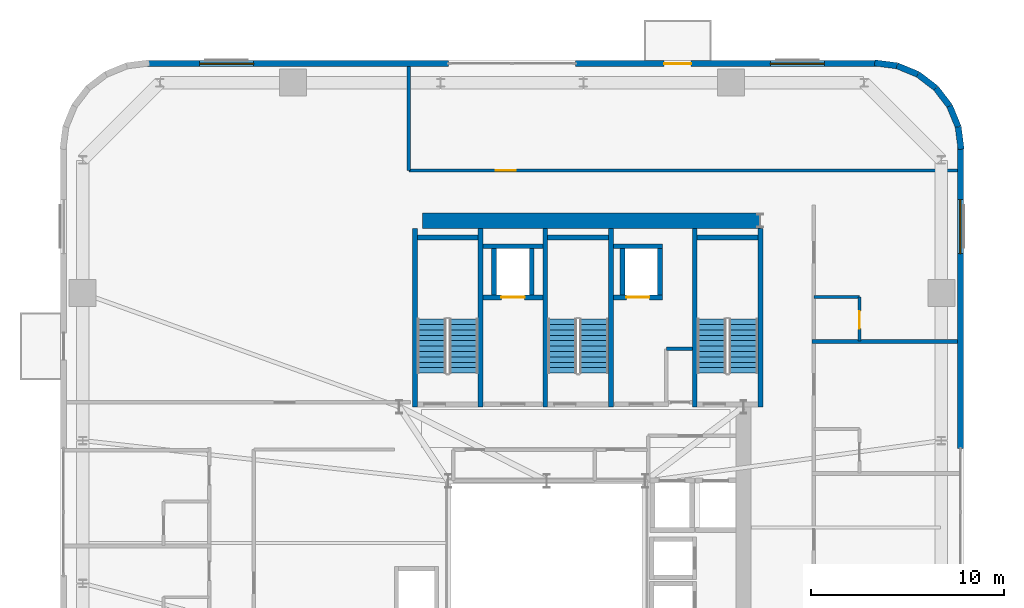
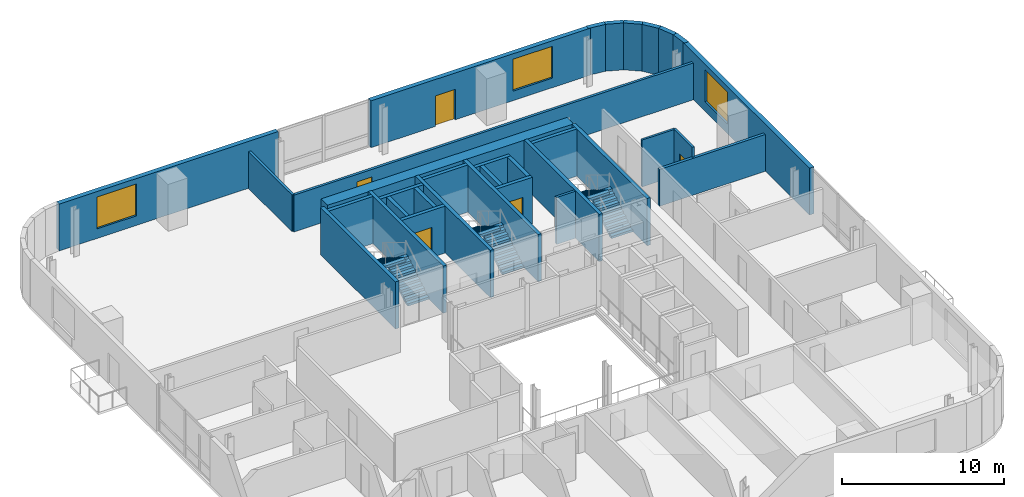
# One storey, part 11 of 16: 33 walls, 6 stair flights, 5 doors, 3 windows, 8 openings, 3 elements without a shape of their own.
"""IFC4 building model written with IfcOpenShell, lengths in metres."""

from ifc_helpers import new_model, si_unit, direction, frame, frame_2d, origin, place, context, subcontext, project, spatial, polyline, rectangle, outline, extrude, source, transform, mapped, material, layer, layer_set, type_object, element, fill, aggregate, save


model = new_model("IFC4")

# Units and contexts
model_context = context("Model", 3, precision=1e-05, world=origin(), true_north=direction((0.0, 1.0)))
body_context = subcontext(model_context, "Body", "Model", "MODEL_VIEW")
ifc_project = project(units=[si_unit("LENGTHUNIT", "METRE"), si_unit("AREAUNIT", "SQUARE_METRE"), si_unit("VOLUMEUNIT", "CUBIC_METRE"), si_unit("PLANEANGLEUNIT", "RADIAN"), si_unit("MASSUNIT", "GRAM", prefix="KILO")], contexts=[model_context])

# Site, building, storey
site_placement = place(None, origin())
site = spatial("IfcSite", under=ifc_project, at=site_placement, CompositionType="ELEMENT")
building_placement = place(site_placement, origin())
building = spatial("IfcBuilding", under=site, at=building_placement, Name="Vardaveli Station Tower", CompositionType="ELEMENT")
storey_placement = place(building_placement, frame((0.0, 0.0, 211.050048828125)))
storey = spatial("IfcBuildingStorey", under=building, at=storey_placement, Name="L54", CompositionType="ELEMENT", Elevation=211.050048828125)

# Wall
ifc_material_1 = material(Name="Concrete C50/60", Category="concrete")
ifc_layer_1 = layer(ifc_material_1, 0.800048828125, Name="Concrete C50/60")
ifc_layer_set_1 = layer_set([ifc_layer_1], Name="Concrete C50/60")
wall_type_1 = type_object("IfcWallType", Name="WAL-CORE-800", PredefinedType="SHEAR", material=ifc_layer_set_1)
shared_shape_1 = source(origin(), body_context, "Body", "SweptSolid", [
    extrude(rectangle(XDim=17.52001953125, YDim=0.800048828125, at=frame_2d((8.760009765625, 0.0))), origin(), (0.0, 0.0, 1.0), 3.530029296875),
])
wall_1_placement = place(storey_placement, frame((29.85009765625, 40.300048828125, 0.0), z_axis=(0.0, 0.0, 1.0), x_axis=(1.0, 0.0, 0.0)))
element("IfcWall", 1, at=wall_1_placement, inside=storey, type_object=wall_type_1, Name="SW-L54-NORTH", PredefinedType="SHEAR", context=body_context, shape_type="MappedRepresentation", body=[
    mapped(shared_shape_1, transform((0.0, 0.0, 0.0), scale=1.0)),
])

# Wall, openings, door, window
ifc_material_2 = material(Name="Precast concrete C45/55", Category="concrete")
ifc_layer_2 = layer(ifc_material_2, 0.320068359375, Name="Precast concrete C45/55")
ifc_layer_set_2 = layer_set([ifc_layer_2], Name="Precast concrete C45/55")
wall_type_2 = type_object("IfcWallType", Name="WAL-EXT-STONE-320", PredefinedType="SOLIDWALL", material=ifc_layer_set_2)
shared_shape_2 = source(origin(), body_context, "Body", "SweptSolid", [
    extrude(rectangle(XDim=15.599853515625, YDim=0.320068359375, at=frame_2d((7.7998046875, 0.0))), origin(), (0.0, 0.0, 1.0), 3.530029296875),
])
wall_2_placement = place(storey_placement, frame((53.39990234375, 48.43994140625, 0.0), z_axis=(0.0, 0.0, 1.0), x_axis=(-1.0, 0.0, 0.0)))
wall_2 = element("IfcWall", 2, at=wall_2_placement, inside=storey, type_object=wall_type_2, Name="EW-L54-N1", PredefinedType="SOLIDWALL", context=body_context, shape_type="MappedRepresentation", body=[
    mapped(shared_shape_2, transform((0.0, 0.0, 0.0), scale=1.0)),
])
shared_shape_3 = source(origin(), body_context, "Body", "SweptSolid", [
    extrude(rectangle(XDim=1.39990234375, YDim=2.300048828125, at=frame_2d((0.699951171875, 1.14990234375))), frame((0.0, 0.169921875, 0.0), z_axis=(0.0, -1.0, 0.0), x_axis=(1.0, 0.0, 0.0)), (0.0, 0.0, 1.0), 0.340087890625),
])
opening_1_placement = place(wall_2_placement, frame((9.6103515625, 0.0, 0.0)))
opening_1 = element("IfcOpeningElement", 3, at=opening_1_placement, cuts=wall_2, Name="Opening D-09", PredefinedType="OPENING", context=body_context, shape_type="MappedRepresentation", body=[
    mapped(shared_shape_3, transform((0.0, 0.0, 0.0), scale=1.0)),
])
shared_shape_4 = source(origin(), body_context, "Body", "SweptSolid", [
    extrude(rectangle(XDim=2.800048828125, YDim=2.39990234375, at=frame_2d((1.39990234375, 1.199951171875))), frame((0.0, 0.169921875, 0.0), z_axis=(0.0, -1.0, 0.0), x_axis=(1.0, 0.0, 0.0)), (0.0, 0.0, 1.0), 0.340087890625),
])
opening_2_placement = place(wall_2_placement, frame((2.705078125, 0.0, 0.719970703125)))
opening_2 = element("IfcOpeningElement", 4, at=opening_2_placement, cuts=wall_2, Name="Opening W-04", PredefinedType="OPENING", context=body_context, shape_type="MappedRepresentation", body=[
    mapped(shared_shape_4, transform((0.0, 0.0, 0.0), scale=1.0)),
])
ifc_material_3 = material(Name="Thermally broken aluminium glass", Category="aluminium")
door_type_1 = type_object("IfcDoorType", Name="DR-LOG-1400x2300", OperationType="DOUBLE_DOOR_SLIDING", PredefinedType="DOOR", material=ifc_material_3)
shared_shape_5 = source(origin(), body_context, "Body", "SweptSolid", [
    extrude(rectangle(XDim=1.39990234375, YDim=2.300048828125, at=frame_2d((0.699951171875, 1.14990234375))), frame((0.0, 0.02490234375, 0.0), z_axis=(0.0, -1.0, 0.0), x_axis=(1.0, 0.0, 0.0)), (0.0, 0.0, 1.0), 0.050048828125),
])
door_1_placement = place(opening_1_placement, frame((1.39990234375, 0.0, 0.0), z_axis=(0.0, 0.0, 1.0), x_axis=(-1.0, 0.0, 0.0)))
door_1 = element("IfcDoor", 5, at=door_1_placement, inside=storey, type_object=door_type_1, Name="DLG-L54-N", OperationType="DOUBLE_DOOR_SLIDING", OverallHeight=2.300048828125, OverallWidth=1.39990234375, PredefinedType="DOOR", context=body_context, shape_type="MappedRepresentation", body=[
    mapped(shared_shape_5, transform((0.0, 0.0, 0.0), scale=1.0)),
])
fill(opening_1, door_1)
ifc_material_4 = material(Name="Low-E solar-control glass", Category="glass")
window_type = type_object("IfcWindowType", Name="WIN-SUITE-2800x2400", PartitioningType="SINGLE_PANEL", PredefinedType="WINDOW", material=ifc_material_4)
shared_shape_6 = source(origin(), body_context, "Body", "SweptSolid", [
    extrude(rectangle(XDim=2.800048828125, YDim=2.39990234375, at=frame_2d((1.39990234375, 1.199951171875))), frame((0.0, 0.030029296875, 0.0), z_axis=(0.0, -1.0, 0.0), x_axis=(1.0, 0.0, 0.0)), (0.0, 0.0, 1.0), 0.06005859375),
])
window_1_placement = place(opening_2_placement, origin())
window_1 = element("IfcWindow", 6, at=window_1_placement, inside=storey, type_object=window_type, Name="WN-L54-N1", OverallHeight=2.39990234375, OverallWidth=2.800048828125, PartitioningType="SINGLE_PANEL", PredefinedType="WINDOW", context=body_context, shape_type="MappedRepresentation", body=[
    mapped(shared_shape_6, transform((0.0, 0.0, 0.0), scale=1.0)),
])
fill(opening_2, window_1)

# Wall, opening, window
wall_3_placement = place(storey_placement, frame((31.199951171875, 48.43994140625, 0.0), z_axis=(0.0, 0.0, 1.0), x_axis=(-1.0, 0.0, 0.0)))
wall_3 = element("IfcWall", 7, at=wall_3_placement, inside=storey, type_object=wall_type_2, Name="EW-L54-N2", PredefinedType="SOLIDWALL", context=body_context, shape_type="MappedRepresentation", body=[
    mapped(shared_shape_2, transform((0.0, 0.0, 0.0), scale=1.0)),
])
opening_3_placement = place(wall_3_placement, frame((10.094970703125, 0.0, 0.719970703125)))
opening_3 = element("IfcOpeningElement", 8, at=opening_3_placement, cuts=wall_3, Name="Opening W-04", PredefinedType="OPENING", context=body_context, shape_type="MappedRepresentation", body=[
    mapped(shared_shape_4, transform((0.0, 0.0, 0.0), scale=1.0)),
])
window_2_placement = place(opening_3_placement, origin())
window_2 = element("IfcWindow", 9, at=window_2_placement, inside=storey, type_object=window_type, Name="WN-L54-N2", OverallHeight=2.39990234375, OverallWidth=2.800048828125, PartitioningType="SINGLE_PANEL", PredefinedType="WINDOW", context=body_context, shape_type="MappedRepresentation", body=[
    mapped(shared_shape_6, transform((0.0, 0.0, 0.0), scale=1.0)),
])
fill(opening_3, window_2)

shared_shape_7 = source(origin(), body_context, "Body", "SweptSolid", [
    extrude(rectangle(XDim=15.60009765625, YDim=0.320068359375, at=frame_2d((7.800048828125, 0.0))), origin(), (0.0, 0.0, 1.0), 3.530029296875),
])
wall_4_placement = place(storey_placement, frame((57.739990234375, 28.5, 0.0), z_axis=(0.0, 0.0, 1.0), x_axis=(0.0, 1.0, 0.0)))
wall_4 = element("IfcWall", 10, at=wall_4_placement, inside=storey, type_object=wall_type_2, Name="EW-L54-E2", PredefinedType="SOLIDWALL", context=body_context, shape_type="MappedRepresentation", body=[
    mapped(shared_shape_7, transform((0.0, 0.0, 0.0), scale=1.0)),
])
opening_4_placement = place(wall_4_placement, frame((10.094970703125, 0.0, 0.719970703125)))
opening_4 = element("IfcOpeningElement", 11, at=opening_4_placement, cuts=wall_4, Name="Opening W-04", PredefinedType="OPENING", context=body_context, shape_type="MappedRepresentation", body=[
    mapped(shared_shape_4, transform((0.0, 0.0, 0.0), scale=1.0)),
])
window_3_placement = place(opening_4_placement, origin())
window_3 = element("IfcWindow", 12, at=window_3_placement, inside=storey, type_object=window_type, Name="WN-L54-E2", OverallHeight=2.39990234375, OverallWidth=2.800048828125, PartitioningType="SINGLE_PANEL", PredefinedType="WINDOW", context=body_context, shape_type="MappedRepresentation", body=[
    mapped(shared_shape_6, transform((0.0, 0.0, 0.0), scale=1.0)),
])
fill(opening_4, window_3)

# Walls
shared_shape_8 = source(origin(), body_context, "Body", "SweptSolid", [
    extrude(rectangle(XDim=1.1689453125, YDim=0.320068359375, at=frame_2d((0.58447265625, 0.0))), origin(), (0.0, 0.0, 1.0), 3.530029296875),
])
wall_5_placement = place(storey_placement, frame((57.179931640625, 46.2412109375, 0.0), z_axis=(0.0, 0.0, 1.0), x_axis=(-0.608387696831, 0.793639975269, 0.0)))
element("IfcWall", 13, at=wall_5_placement, inside=storey, type_object=wall_type_2, Name="EW-L54-CR3-3", PredefinedType="SOLIDWALL", context=body_context, shape_type="MappedRepresentation", body=[
    mapped(shared_shape_8, transform((0.0, 0.0, 0.0), scale=1.0)),
])
shared_shape_9 = source(origin(), body_context, "Body", "SweptSolid", [
    extrude(rectangle(XDim=1.168701171875, YDim=0.320068359375, at=frame_2d((0.58447265625, 0.0))), origin(), (0.0, 0.0, 1.0), 3.530029296875),
])
wall_6_placement = place(storey_placement, frame((56.46875, 47.1689453125, 0.0), z_axis=(0.0, 0.0, 1.0), x_axis=(-0.793663520347, 0.608356981114, 0.0)))
element("IfcWall", 14, at=wall_6_placement, inside=storey, type_object=wall_type_2, Name="EW-L54-CR3-4", PredefinedType="SOLIDWALL", context=body_context, shape_type="MappedRepresentation", body=[
    mapped(shared_shape_9, transform((0.0, 0.0, 0.0), scale=1.0)),
])
shared_shape_10 = source(origin(), body_context, "Body", "SweptSolid", [
    extrude(rectangle(XDim=1.17041015625, YDim=0.320068359375, at=frame_2d((0.585205078125, 0.0))), origin(), (0.0, 0.0, 1.0), 3.530029296875),
])
for number, where, z_axis, x_axis, name in (
    (15, (57.775634765625, 43.99951171875, 0.0), (0.0, 0.0, 1.0), (-0.128295670475, 0.991735963317, 0.0), "EW-L54-CR3-1"),
    (16, (54.460205078125, 48.325439453125, 0.0), (0.0, 0.0, 1.0), (-0.991735963317, 0.128295670475, 0.0), "EW-L54-CR3-6"),
):
    element("IfcWall", number, at=place(storey_placement, frame(where, z_axis=z_axis, x_axis=x_axis)), inside=storey, type_object=wall_type_2, Name=name, PredefinedType="SOLIDWALL", context=body_context, shape_type="MappedRepresentation", body=[
        mapped(shared_shape_10, transform((0.0, 0.0, 0.0), scale=1.0)),
    ])
shared_shape_11 = source(origin(), body_context, "Body", "SweptSolid", [
    extrude(rectangle(XDim=1.169189453125, YDim=0.320068359375, at=frame_2d((0.58447265625, 0.0))), origin(), (0.0, 0.0, 1.0), 3.530029296875),
])
for number, where, z_axis, x_axis, name in (
    (17, (57.62548828125, 45.16015625, 0.0), (0.0, 0.0, 1.0), (-0.381054331552, 0.924552646638, 0.0), "EW-L54-CR3-2"),
    (18, (55.541259765625, 47.8798828125, 0.0), (0.0, 0.0, 1.0), (-0.924552646638, 0.381054331552, 0.0), "EW-L54-CR3-5"),
):
    element("IfcWall", number, at=place(storey_placement, frame(where, z_axis=z_axis, x_axis=x_axis)), inside=storey, type_object=wall_type_2, Name=name, PredefinedType="SOLIDWALL", context=body_context, shape_type="MappedRepresentation", body=[
        mapped(shared_shape_11, transform((0.0, 0.0, 0.0), scale=1.0)),
    ])
ifc_material_5 = material(Name="Concrete C40/50", Category="concrete")
ifc_layer_3 = layer(ifc_material_5, 0.25, Name="Concrete C40/50")
ifc_layer_set_3 = layer_set([ifc_layer_3], Name="Concrete C40/50")
wall_type_3 = type_object("IfcWallType", Name="WAL-SHAFT-250", PredefinedType="SOLIDWALL", material=ifc_layer_set_3)
shared_shape_12 = source(origin(), body_context, "Body", "SweptSolid", [
    extrude(rectangle(XDim=9.25, YDim=0.25, at=frame_2d((4.625, 0.0))), origin(), (0.0, 0.0, 1.0), 3.550048828125),
])
for number, where, z_axis, x_axis, name in (
    (19, (29.47509765625, 30.64990234375, 0.0), (0.0, 0.0, 1.0), (0.0, 1.0, 0.0), "W-L54-ST-1W"),
    (20, (32.875, 30.64990234375, 0.0), (0.0, 0.0, 1.0), (0.0, 1.0, 0.0), "W-L54-ST-1E"),
    (21, (36.22509765625, 30.64990234375, 0.0), (0.0, 0.0, 1.0), (0.0, 1.0, 0.0), "W-L54-ST-2W"),
    (22, (39.625, 30.64990234375, 0.0), (0.0, 0.0, 1.0), (0.0, 1.0, 0.0), "W-L54-ST-2E"),
    (23, (43.97509765625, 30.64990234375, 0.0), (0.0, 0.0, 1.0), (0.0, 1.0, 0.0), "W-L54-ST-3W"),
    (24, (47.375, 30.64990234375, 0.0), (0.0, 0.0, 1.0), (0.0, 1.0, 0.0), "W-L54-ST-3E"),
):
    element("IfcWall", number, at=place(storey_placement, frame(where, z_axis=z_axis, x_axis=x_axis)), inside=storey, type_object=wall_type_3, Name=name, PredefinedType="SOLIDWALL", context=body_context, shape_type="MappedRepresentation", body=[
        mapped(shared_shape_12, transform((0.0, 0.0, 0.0), scale=1.0)),
    ])
shared_shape_13 = source(origin(), body_context, "Body", "SweptSolid", [
    extrude(rectangle(XDim=3.14990234375, YDim=0.25, at=frame_2d((1.574951171875, 0.0))), origin(), (0.0, 0.0, 1.0), 3.550048828125),
])
for number, where, z_axis, x_axis, name in (
    (25, (29.60009765625, 39.425048828125, 0.0), (0.0, 0.0, 1.0), (1.0, 0.0, 0.0), "W-L54-ST-1N"),
    (26, (36.35009765625, 39.425048828125, 0.0), (0.0, 0.0, 1.0), (1.0, 0.0, 0.0), "W-L54-ST-2N"),
    (27, (44.10009765625, 39.425048828125, 0.0), (0.0, 0.0, 1.0), (1.0, 0.0, 0.0), "W-L54-ST-3N"),
):
    element("IfcWall", number, at=place(storey_placement, frame(where, z_axis=z_axis, x_axis=x_axis)), inside=storey, type_object=wall_type_3, Name=name, PredefinedType="SOLIDWALL", context=body_context, shape_type="MappedRepresentation", body=[
        mapped(shared_shape_13, transform((0.0, 0.0, 0.0), scale=1.0)),
    ])

# Wall, opening, door
shared_shape_14 = source(origin(), body_context, "Body", "SweptSolid", [
    extrude(rectangle(XDim=3.10009765625, YDim=0.25, at=frame_2d((1.550048828125, 0.0))), origin(), (0.0, 0.0, 1.0), 3.530029296875),
])
wall_7_placement = place(storey_placement, frame((33.0, 36.324951171875, 0.0), z_axis=(0.0, 0.0, 1.0), x_axis=(1.0, 0.0, 0.0)))
wall_7 = element("IfcWall", 28, at=wall_7_placement, inside=storey, type_object=wall_type_3, Name="SHW-FFL-01-L54-S", PredefinedType="SOLIDWALL", context=body_context, shape_type="MappedRepresentation", body=[
    mapped(shared_shape_14, transform((0.0, 0.0, 0.0), scale=1.0)),
])
shared_shape_15 = source(origin(), body_context, "Body", "SweptSolid", [
    extrude(rectangle(XDim=1.199951171875, YDim=2.25, at=frame_2d((0.60009765625, 1.125))), frame((0.0, 0.135009765625, 0.0), z_axis=(0.0, -1.0, 0.0), x_axis=(1.0, 0.0, 0.0)), (0.0, 0.0, 1.0), 0.27001953125),
])
opening_5_placement = place(wall_7_placement, frame((0.949951171875, 0.0, 0.0)))
opening_5 = element("IfcOpeningElement", 29, at=opening_5_placement, cuts=wall_7, Name="Opening LD-02", PredefinedType="OPENING", context=body_context, shape_type="MappedRepresentation", body=[
    mapped(shared_shape_15, transform((0.0, 0.0, 0.0), scale=1.0)),
])
ifc_material_6 = material(Name="Brushed stainless steel", Category="steel")
door_type_2 = type_object("IfcDoorType", Name="DR-LD-1200x2250", OperationType="DOUBLE_DOOR_SLIDING", PredefinedType="DOOR", material=ifc_material_6)
shared_shape_16 = source(origin(), body_context, "Body", "SweptSolid", [
    extrude(rectangle(XDim=1.199951171875, YDim=2.25, at=frame_2d((0.60009765625, 1.125))), frame((0.0, 0.02490234375, 0.0), z_axis=(0.0, -1.0, 0.0), x_axis=(1.0, 0.0, 0.0)), (0.0, 0.0, 1.0), 0.050048828125),
])
door_2_placement = place(opening_5_placement, origin())
door_2 = element("IfcDoor", 30, at=door_2_placement, inside=storey, type_object=door_type_2, Name="LD-FFL-01-L54", OperationType="DOUBLE_DOOR_SLIDING", OverallHeight=2.25, OverallWidth=1.199951171875, PredefinedType="DOOR", context=body_context, shape_type="MappedRepresentation", body=[
    mapped(shared_shape_16, transform((0.0, 0.0, 0.0), scale=1.0)),
])
fill(opening_5, door_2)

# Walls
wall_8_placement = place(storey_placement, frame((33.0, 38.97509765625, 0.0), z_axis=(0.0, 0.0, 1.0), x_axis=(1.0, 0.0, 0.0)))
element("IfcWall", 31, at=wall_8_placement, inside=storey, type_object=wall_type_3, Name="SHW-FFL-01-L54-N", PredefinedType="SOLIDWALL", context=body_context, shape_type="MappedRepresentation", body=[
    mapped(shared_shape_14, transform((0.0, 0.0, 0.0), scale=1.0)),
])
shared_shape_17 = source(origin(), body_context, "Body", "SweptSolid", [
    extrude(rectangle(XDim=2.400146484375, YDim=0.25, at=frame_2d((1.2001953125, 0.0))), origin(), (0.0, 0.0, 1.0), 3.530029296875),
])
for number, where, z_axis, x_axis, name in (
    (32, (33.574951171875, 36.449951171875, 0.0), (0.0, 0.0, 1.0), (0.0, 1.0, 0.0), "SHW-FFL-01-L54-W"),
    (33, (35.52490234375, 36.449951171875, 0.0), (0.0, 0.0, 1.0), (0.0, 1.0, 0.0), "SHW-FFL-01-L54-E"),
    (34, (40.22509765625, 36.449951171875, 0.0), (0.0, 0.0, 1.0), (0.0, 1.0, 0.0), "SHW-FFL-02-L54-W"),
    (35, (42.175048828125, 36.449951171875, 0.0), (0.0, 0.0, 1.0), (0.0, 1.0, 0.0), "SHW-FFL-02-L54-E"),
):
    element("IfcWall", number, at=place(storey_placement, frame(where, z_axis=z_axis, x_axis=x_axis)), inside=storey, type_object=wall_type_3, Name=name, PredefinedType="SOLIDWALL", context=body_context, shape_type="MappedRepresentation", body=[
        mapped(shared_shape_17, transform((0.0, 0.0, 0.0), scale=1.0)),
    ])

# Wall, opening, door
shared_shape_18 = source(origin(), body_context, "Body", "SweptSolid", [
    extrude(rectangle(XDim=2.550048828125, YDim=0.25, at=frame_2d((1.27490234375, 0.0))), origin(), (0.0, 0.0, 1.0), 3.530029296875),
])
wall_9_placement = place(storey_placement, frame((39.75, 36.324951171875, 0.0), z_axis=(0.0, 0.0, 1.0), x_axis=(1.0, 0.0, 0.0)))
wall_9 = element("IfcWall", 36, at=wall_9_placement, inside=storey, type_object=wall_type_3, Name="SHW-FFL-02-L54-S", PredefinedType="SOLIDWALL", context=body_context, shape_type="MappedRepresentation", body=[
    mapped(shared_shape_18, transform((0.0, 0.0, 0.0), scale=1.0)),
])
opening_6_placement = place(wall_9_placement, frame((0.675048828125, 0.0, 0.0)))
opening_6 = element("IfcOpeningElement", 37, at=opening_6_placement, cuts=wall_9, Name="Opening LD-02", PredefinedType="OPENING", context=body_context, shape_type="MappedRepresentation", body=[
    mapped(shared_shape_15, transform((0.0, 0.0, 0.0), scale=1.0)),
])
door_3_placement = place(opening_6_placement, origin())
door_3 = element("IfcDoor", 38, at=door_3_placement, inside=storey, type_object=door_type_2, Name="LD-FFL-02-L54", OperationType="DOUBLE_DOOR_SLIDING", OverallHeight=2.25, OverallWidth=1.199951171875, PredefinedType="DOOR", context=body_context, shape_type="MappedRepresentation", body=[
    mapped(shared_shape_16, transform((0.0, 0.0, 0.0), scale=1.0)),
])
fill(opening_6, door_3)

# Wall
wall_10_placement = place(storey_placement, frame((39.75, 38.97509765625, 0.0), z_axis=(0.0, 0.0, 1.0), x_axis=(1.0, 0.0, 0.0)))
element("IfcWall", 39, at=wall_10_placement, inside=storey, type_object=wall_type_3, Name="SHW-FFL-02-L54-N", PredefinedType="SOLIDWALL", context=body_context, shape_type="MappedRepresentation", body=[
    mapped(shared_shape_18, transform((0.0, 0.0, 0.0), scale=1.0)),
])

# Wall, opening, door
ifc_material_7 = material(Name="Fire-rated gypsum stud partition")
ifc_layer_4 = layer(ifc_material_7, 0.179931640625, Name="Fire-rated gypsum stud partition")
ifc_layer_set_4 = layer_set([ifc_layer_4], Name="Fire-rated gypsum stud partition")
wall_type_4 = type_object("IfcWallType", Name="WAL-CORR-180", PredefinedType="PARTITIONING", material=ifc_layer_set_4)
shared_shape_19 = source(origin(), body_context, "Body", "SweptSolid", [
    extrude(rectangle(XDim=28.427978515625, YDim=0.179931640625, at=frame_2d((14.2138671875, 0.0))), origin(), (0.0, 0.0, 1.0), 2.77197265625),
])
wall_11_placement = place(storey_placement, frame((29.14990234375, 42.89990234375, 0.0), z_axis=(0.0, 0.0, 1.0), x_axis=(1.0, 0.0, 0.0)))
wall_11 = element("IfcWall", 40, at=wall_11_placement, inside=storey, type_object=wall_type_4, Name="W-L54-NPS", PredefinedType="PARTITIONING", context=body_context, shape_type="MappedRepresentation", body=[
    mapped(shared_shape_19, transform((0.0, 0.0, 0.0), scale=1.0)),
])
shared_shape_20 = source(origin(), body_context, "Body", "SweptSolid", [
    extrude(rectangle(XDim=1.050048828125, YDim=2.199951171875, at=frame_2d((0.52490234375, 1.10009765625))), frame((0.0, 0.10009765625, 0.0), z_axis=(0.0, -1.0, 0.0), x_axis=(1.0, 0.0, 0.0)), (0.0, 0.0, 1.0), 0.199951171875),
])
opening_7_placement = place(wall_11_placement, frame((4.5, 0.0, 0.0)))
opening_7 = element("IfcOpeningElement", 41, at=opening_7_placement, cuts=wall_11, Name="Opening D-05", PredefinedType="OPENING", context=body_context, shape_type="MappedRepresentation", body=[
    mapped(shared_shape_20, transform((0.0, 0.0, 0.0), scale=1.0)),
])
ifc_material_8 = material(Name="Walnut veneer acoustic fire door")
door_type_3 = type_object("IfcDoorType", Name="DR-SUITE-1050x2200", OperationType="NOTDEFINED", PredefinedType="DOOR", material=ifc_material_8)
shared_shape_21 = source(origin(), body_context, "Body", "SweptSolid", [
    extrude(rectangle(XDim=1.050048828125, YDim=2.199951171875, at=frame_2d((0.52490234375, 1.10009765625))), frame((0.0, 0.02490234375, 0.0), z_axis=(0.0, -1.0, 0.0), x_axis=(1.0, 0.0, 0.0)), (0.0, 0.0, 1.0), 0.050048828125),
])
door_4_placement = place(opening_7_placement, origin())
door_4 = element("IfcDoor", 42, at=door_4_placement, inside=storey, type_object=door_type_3, Name="D-L54-NP1", OperationType="SINGLE_SWING_LEFT", OverallHeight=2.199951171875, OverallWidth=1.050048828125, PredefinedType="DOOR", context=body_context, shape_type="MappedRepresentation", body=[
    mapped(shared_shape_21, transform((0.0, 0.0, 0.0), scale=1.0)),
])
fill(opening_7, door_4)

ifc_material_9 = material(Name="Moisture-resistant stud partition")
ifc_layer_5 = layer(ifc_material_9, 0.14990234375, Name="Moisture-resistant stud partition")
ifc_layer_set_5 = layer_set([ifc_layer_5], Name="Moisture-resistant stud partition")
wall_type_5 = type_object("IfcWallType", Name="WAL-WET-150", PredefinedType="PARTITIONING", material=ifc_layer_set_5)
shared_shape_22 = source(origin(), body_context, "Body", "SweptSolid", [
    extrude(rectangle(XDim=2.289794921875, YDim=0.14990234375, at=frame_2d((1.14501953125, 0.0))), origin(), (0.0, 0.0, 1.0), 3.530029296875),
])
wall_12_placement = place(storey_placement, frame((52.510009765625, 34.05810546875, 0.0), z_axis=(0.0, 0.0, 1.0), x_axis=(0.0, 1.0, 0.0)))
wall_12 = element("IfcWall", 43, at=wall_12_placement, inside=storey, type_object=wall_type_5, Name="W-L54-BE4-E", PredefinedType="PARTITIONING", context=body_context, shape_type="MappedRepresentation", body=[
    mapped(shared_shape_22, transform((0.0, 0.0, 0.0), scale=1.0)),
])
shared_shape_23 = source(origin(), body_context, "Body", "SweptSolid", [
    extrude(rectangle(XDim=0.89990234375, YDim=2.10009765625, at=frame_2d((0.449951171875, 1.050048828125))), frame((0.0, 0.0849609375, 0.0), z_axis=(0.0, -1.0, 0.0), x_axis=(1.0, 0.0, 0.0)), (0.0, 0.0, 1.0), 0.169921875),
])
opening_8_placement = place(wall_12_placement, frame((0.64990234375, 0.0, 0.0)))
opening_8 = element("IfcOpeningElement", 44, at=opening_8_placement, cuts=wall_12, Name="Opening D-08", PredefinedType="OPENING", context=body_context, shape_type="MappedRepresentation", body=[
    mapped(shared_shape_23, transform((0.0, 0.0, 0.0), scale=1.0)),
])
ifc_material_10 = material(Name="Moisture-resistant oak door")
door_type_4 = type_object("IfcDoorType", Name="DR-BATH-900x2100", OperationType="NOTDEFINED", PredefinedType="DOOR", material=ifc_material_10)
shared_shape_24 = source(origin(), body_context, "Body", "SweptSolid", [
    extrude(rectangle(XDim=0.89990234375, YDim=2.10009765625, at=frame_2d((0.449951171875, 1.050048828125))), frame((0.0, 0.02490234375, 0.0), z_axis=(0.0, -1.0, 0.0), x_axis=(1.0, 0.0, 0.0)), (0.0, 0.0, 1.0), 0.050048828125),
])
door_5_placement = place(opening_8_placement, origin())
door_5 = element("IfcDoor", 45, at=door_5_placement, inside=storey, type_object=door_type_4, Name="D-L54-BE4", OperationType="SINGLE_SWING_RIGHT", OverallHeight=2.10009765625, OverallWidth=0.89990234375, PredefinedType="DOOR", context=body_context, shape_type="MappedRepresentation", body=[
    mapped(shared_shape_24, transform((0.0, 0.0, 0.0), scale=1.0)),
])
fill(opening_8, door_5)

# Walls
ifc_material_11 = material(Name="Acoustic twin-stud gypsum partition")
ifc_layer_6 = layer(ifc_material_11, 0.199951171875, Name="Acoustic twin-stud gypsum partition")
ifc_layer_set_6 = layer_set([ifc_layer_6], Name="Acoustic twin-stud gypsum partition")
wall_type_6 = type_object("IfcWallType", Name="WAL-PARTY-200", PredefinedType="PARTITIONING", material=ifc_layer_set_6)
shared_shape_25 = source(origin(), body_context, "Body", "SweptSolid", [
    extrude(rectangle(XDim=7.52783203125, YDim=0.199951171875, at=frame_2d((3.763916015625, 0.0))), origin(), (0.0, 0.0, 1.0), 2.77197265625),
])
wall_13_placement = place(storey_placement, frame((50.050048828125, 34.0380859375, 0.0), z_axis=(0.0, 0.0, 1.0), x_axis=(1.0, 0.0, 0.0)))
element("IfcWall", 46, at=wall_13_placement, inside=storey, type_object=wall_type_6, Name="W-L54-PE3", PredefinedType="PARTITIONING", context=body_context, shape_type="MappedRepresentation", body=[
    mapped(shared_shape_25, transform((0.0, 0.0, 0.0), scale=1.0)),
])
shared_shape_26 = source(origin(), body_context, "Body", "SweptSolid", [
    extrude(rectangle(XDim=5.378173828125, YDim=0.179931640625, at=frame_2d((2.68896484375, 0.0))), origin(), (0.0, 0.0, 1.0), 2.77197265625),
])
wall_14_placement = place(storey_placement, frame((29.14990234375, 42.89990234375, 0.0), z_axis=(0.0, 0.0, 1.0), x_axis=(0.0, 1.0, 0.0)))
element("IfcWall", 47, at=wall_14_placement, inside=storey, type_object=wall_type_4, Name="W-L54-NPW", PredefinedType="PARTITIONING", context=body_context, shape_type="MappedRepresentation", body=[
    mapped(shared_shape_26, transform((0.0, 0.0, 0.0), scale=1.0)),
])
shared_shape_27 = source(origin(), body_context, "Body", "SweptSolid", [
    extrude(rectangle(XDim=2.360107421875, YDim=0.14990234375, at=frame_2d((1.18017578125, 0.0))), origin(), (0.0, 0.0, 1.0), 3.530029296875),
])
wall_15_placement = place(storey_placement, frame((50.14990234375, 36.347900390625, 0.0), z_axis=(0.0, 0.0, 1.0), x_axis=(1.0, 0.0, 0.0)))
element("IfcWall", 48, at=wall_15_placement, inside=storey, type_object=wall_type_5, Name="W-L54-BE4-N", PredefinedType="PARTITIONING", context=body_context, shape_type="MappedRepresentation", body=[
    mapped(shared_shape_27, transform((0.0, 0.0, 0.0), scale=1.0)),
])
shared_shape_28 = source(origin(), body_context, "Body", "SweptSolid", [
    extrude(rectangle(XDim=1.347900390625, YDim=0.179931640625, at=frame_2d((0.673828125, 0.0))), origin(), (0.0, 0.0, 1.0), 3.530029296875),
])
wall_16_placement = place(storey_placement, frame((42.5, 33.64990234375, 0.0), z_axis=(0.0, 0.0, 1.0), x_axis=(1.0, 0.0, 0.0)))
element("IfcWall", 49, at=wall_16_placement, inside=storey, type_object=wall_type_4, Name="W-L54-CBS0-N", PredefinedType="PARTITIONING", context=body_context, shape_type="MappedRepresentation", body=[
    mapped(shared_shape_28, transform((0.0, 0.0, 0.0), scale=1.0)),
])

# Stair, stair flights
stair_type = type_object("IfcStairType", Name="STR-CORE-1500", PredefinedType="HALF_TURN_STAIR", material=ifc_material_5)
stair_1_placement = place(storey_placement, origin())
stair_1 = element("IfcStair", 50, at=stair_1_placement, inside=storey, type_object=stair_type, Name="L54 ST-1", PredefinedType="HALF_TURN_STAIR")
stair_flight_type = type_object("IfcStairFlightType", Name="SFL-CORE-1500", PredefinedType="STRAIGHT", material=ifc_material_5)
shared_shape_29 = source(origin(), body_context, "Body", "SweptSolid", [
    extrude(outline(polyline([(0.0, 0.0), (0.0, 0.17041015625), (0.280029296875, 0.17041015625), (0.280029296875, 0.3408203125), (0.56005859375, 0.3408203125), (0.56005859375, 0.511474609375), (0.840087890625, 0.511474609375), (0.840087890625, 0.681884765625), (1.1201171875, 0.681884765625), (1.1201171875, 0.852294921875), (1.39990234375, 0.852294921875), (1.39990234375, 1.022705078125), (1.679931640625, 1.022705078125), (1.679931640625, 1.193115234375), (1.9599609375, 1.193115234375), (1.9599609375, 1.363525390625), (2.239990234375, 1.363525390625), (2.239990234375, 1.5341796875), (2.52001953125, 1.5341796875), (2.52001953125, 1.70458984375), (2.800048828125, 1.70458984375), (2.800048828125, 1.875), (2.800048828125, 1.529052734375), (0.288330078125, 0.0), (0.0, 0.0)])), frame((0.0, 0.75, 0.0), z_axis=(0.0, -1.0, 0.0), x_axis=(1.0, 0.0, 0.0)), (0.0, 0.0, 1.0), 1.5),
])
stair_flight_1_placement = place(storey_placement, frame((32.0, 32.39990234375, 0.0), z_axis=(0.0, 0.0, 1.0), x_axis=(0.0, 1.0, 0.0)))
stair_flight_1 = element("IfcStairFlight", 51, at=stair_flight_1_placement, type_object=stair_flight_type, Name="ST-1 flight 1", NumberOfRisers=11, NumberOfTreads=10, PredefinedType="STRAIGHT", RiserHeight=0.170454545, TreadLength=0.28, context=body_context, shape_type="MappedRepresentation", body=[
    mapped(shared_shape_29, transform((0.0, 0.0, 0.0), scale=1.0)),
])
stair_flight_2_placement = place(storey_placement, frame((30.35009765625, 35.199951171875, 1.875), z_axis=(0.0, 0.0, 1.0), x_axis=(0.0, -1.0, 0.0)))
stair_flight_2 = element("IfcStairFlight", 52, at=stair_flight_2_placement, type_object=stair_flight_type, Name="ST-1 flight 2", NumberOfRisers=11, NumberOfTreads=10, PredefinedType="STRAIGHT", RiserHeight=0.170454545, TreadLength=0.28, context=body_context, shape_type="MappedRepresentation", body=[
    mapped(shared_shape_29, transform((0.0, 0.0, 0.0), scale=1.0)),
])
aggregate(stair_1, [stair_flight_1, stair_flight_2])

stair_2_placement = place(storey_placement, origin())
stair_2 = element("IfcStair", 53, at=stair_2_placement, inside=storey, type_object=stair_type, Name="L54 ST-2", PredefinedType="HALF_TURN_STAIR")
stair_flight_3_placement = place(storey_placement, frame((38.75, 32.39990234375, 0.0), z_axis=(0.0, 0.0, 1.0), x_axis=(0.0, 1.0, 0.0)))
stair_flight_3 = element("IfcStairFlight", 54, at=stair_flight_3_placement, type_object=stair_flight_type, Name="ST-2 flight 1", NumberOfRisers=11, NumberOfTreads=10, PredefinedType="STRAIGHT", RiserHeight=0.170454545, TreadLength=0.28, context=body_context, shape_type="MappedRepresentation", body=[
    mapped(shared_shape_29, transform((0.0, 0.0, 0.0), scale=1.0)),
])
stair_flight_4_placement = place(storey_placement, frame((37.10009765625, 35.199951171875, 1.875), z_axis=(0.0, 0.0, 1.0), x_axis=(0.0, -1.0, 0.0)))
stair_flight_4 = element("IfcStairFlight", 55, at=stair_flight_4_placement, type_object=stair_flight_type, Name="ST-2 flight 2", NumberOfRisers=11, NumberOfTreads=10, PredefinedType="STRAIGHT", RiserHeight=0.170454545, TreadLength=0.28, context=body_context, shape_type="MappedRepresentation", body=[
    mapped(shared_shape_29, transform((0.0, 0.0, 0.0), scale=1.0)),
])
aggregate(stair_2, [stair_flight_3, stair_flight_4])

stair_3_placement = place(storey_placement, origin())
stair_3 = element("IfcStair", 56, at=stair_3_placement, inside=storey, type_object=stair_type, Name="L54 ST-3", PredefinedType="HALF_TURN_STAIR")
stair_flight_5_placement = place(storey_placement, frame((46.5, 32.39990234375, 0.0), z_axis=(0.0, 0.0, 1.0), x_axis=(0.0, 1.0, 0.0)))
stair_flight_5 = element("IfcStairFlight", 57, at=stair_flight_5_placement, type_object=stair_flight_type, Name="ST-3 flight 1", NumberOfRisers=11, NumberOfTreads=10, PredefinedType="STRAIGHT", RiserHeight=0.170454545, TreadLength=0.28, context=body_context, shape_type="MappedRepresentation", body=[
    mapped(shared_shape_29, transform((0.0, 0.0, 0.0), scale=1.0)),
])
stair_flight_6_placement = place(storey_placement, frame((44.85009765625, 35.199951171875, 1.875), z_axis=(0.0, 0.0, 1.0), x_axis=(0.0, -1.0, 0.0)))
stair_flight_6 = element("IfcStairFlight", 58, at=stair_flight_6_placement, type_object=stair_flight_type, Name="ST-3 flight 2", NumberOfRisers=11, NumberOfTreads=10, PredefinedType="STRAIGHT", RiserHeight=0.170454545, TreadLength=0.28, context=body_context, shape_type="MappedRepresentation", body=[
    mapped(shared_shape_29, transform((0.0, 0.0, 0.0), scale=1.0)),
])
aggregate(stair_3, [stair_flight_5, stair_flight_6])

save(model, "model.ifc")
